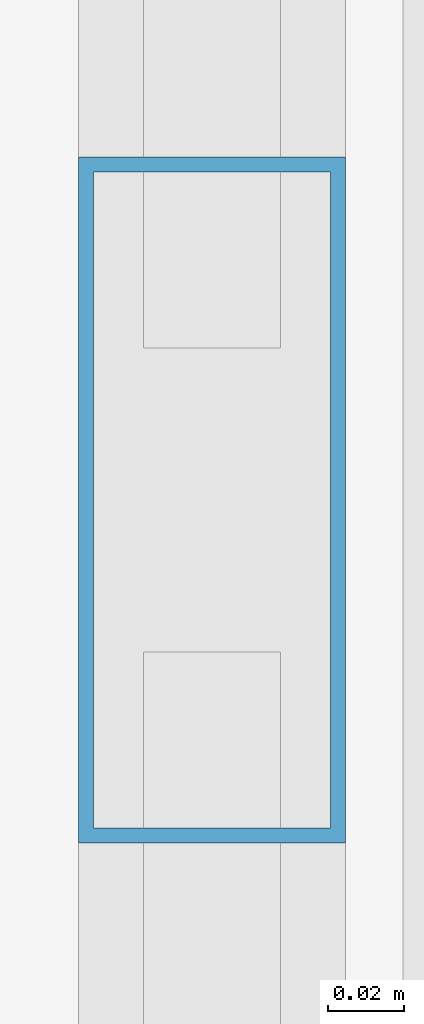
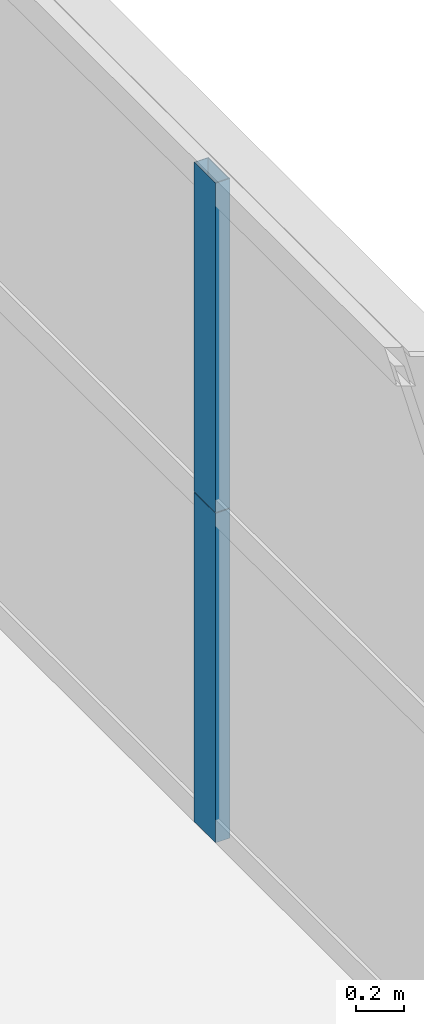
# One storey, part 17 of 38: 2 members, 1 element without a shape of its own.
"""IFC4 building model written with IfcOpenShell, lengths in metres."""

from ifc_helpers import new_model, si_unit, direction, frame, origin, origin_2d, place, context, subcontext, project, spatial, hollow_rectangle, extrude, source, transform, mapped, material, layer, layer_set, material_profile, profile_set, type_object, element, aggregate, save


model = new_model("IFC4")

# Units and contexts
model_context = context("Model", 3, precision=1e-05, world=origin(), true_north=direction((0.0, 1.0)))
body_context = subcontext(model_context, "Body", "Model", "MODEL_VIEW")
ifc_project = project(units=[si_unit("LENGTHUNIT", "METRE"), si_unit("AREAUNIT", "SQUARE_METRE"), si_unit("VOLUMEUNIT", "CUBIC_METRE"), si_unit("PLANEANGLEUNIT", "RADIAN"), si_unit("MASSUNIT", "GRAM", prefix="KILO"), si_unit("THERMODYNAMICTEMPERATUREUNIT", "KELVIN"), si_unit("POWERUNIT", "WATT")], contexts=[model_context])

# Site, building, storey
site_placement = place(None, origin())
site = spatial("IfcSite", under=ifc_project, at=site_placement, CompositionType="ELEMENT")
building_placement = place(site_placement, origin())
building = spatial("IfcBuilding", under=site, at=building_placement, Name="Yuzanri Waterfront Tower", CompositionType="ELEMENT")
storey_placement = place(building_placement, frame((0.0, 0.0, 90.199951171875)))
storey = spatial("IfcBuildingStorey", under=building, at=storey_placement, Name="L23", CompositionType="ELEMENT", Elevation=90.199951171875)

# Curtain wall, members
ifc_material_1 = material(Name="Anodized Architectural Bronze", Category="metal")
ifc_layer = layer(ifc_material_1, 0.159912109375)
ifc_layer_set = layer_set([ifc_layer], Name="Anodized Architectural Bronze")
curtain_wall_type = type_object("IfcCurtainWallType", Name="Anodized Bronze Hotel Upper-Tier Solar-Control Unitized Curtain Wall 7800", PredefinedType="NOTDEFINED", material=ifc_layer_set)
curtain_wall_placement = place(storey_placement, origin())
curtain_wall = element("IfcCurtainWall", 1, at=curtain_wall_placement, inside=storey, type_object=curtain_wall_type, Name="L23 Curtain Wall CW-L23-EL", PredefinedType="NOTDEFINED")
ifc_material_2 = material(Name="Anodized Architectural Bronze", Category="metal")
ifc_material_profile = material_profile(ifc_material_2, hollow_rectangle(XDim=0.070068359375, YDim=0.179931640625, WallThickness=0.00390625, at=origin_2d()), Name="CWM 70x180")
ifc_profile_set = profile_set([ifc_material_profile], Name="Anodized Architectural Bronze")
member_type = type_object("IfcMemberType", Name="Anodized Bronze Standard Curtain-Wall Mullion 70x180", PredefinedType="MULLION", material=ifc_profile_set)
shared_shape = source(origin(), body_context, "Body", "SweptSolid", [
    extrude(hollow_rectangle(XDim=0.070068359375, YDim=0.179931640625, WallThickness=0.00390625, at=origin_2d()), origin(), (0.0, 0.0, 1.0), 1.68798828125),
])
member_1_placement = place(storey_placement, frame((60.449951171875, 17.449951171875, 0.0), z_axis=(0.0, 0.0, 1.0), x_axis=(1.0, 0.0, 0.0)))
member_1 = element("IfcMember", 2, at=member_1_placement, type_object=member_type, Name="CW-L23-EL Lower Mullion 01", PredefinedType="MULLION", context=body_context, shape_type="MappedRepresentation", body=[
    mapped(shared_shape, transform((0.0, 0.0, 0.0), scale=1.0)),
])
member_2_placement = place(storey_placement, frame((60.449951171875, 17.449951171875, 1.692138671875), z_axis=(0.0, 0.0, 1.0), x_axis=(1.0, 0.0, 0.0)))
member_2 = element("IfcMember", 3, at=member_2_placement, type_object=member_type, Name="CW-L23-EL Upper Mullion 01", PredefinedType="MULLION", context=body_context, shape_type="MappedRepresentation", body=[
    mapped(shared_shape, transform((0.0, 0.0, 0.0), scale=1.0)),
])
aggregate(curtain_wall, [member_1, member_2])

save(model, "model.ifc")
